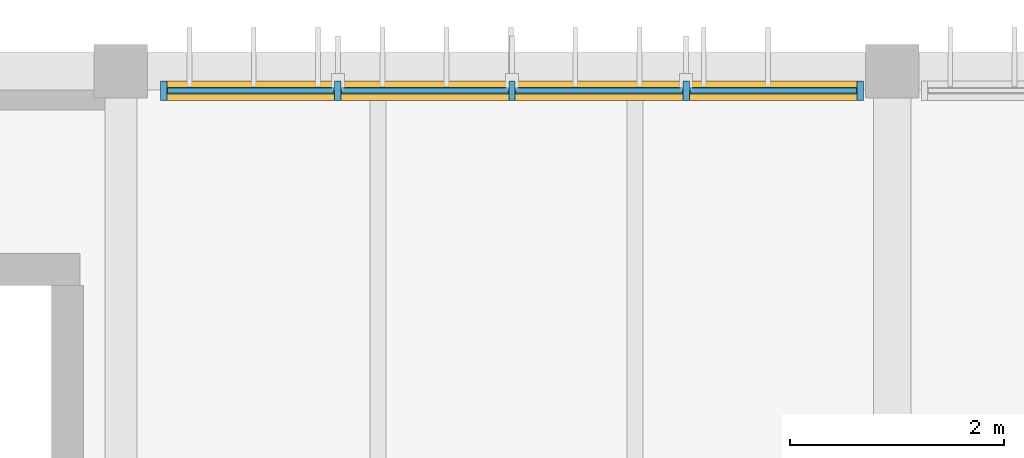
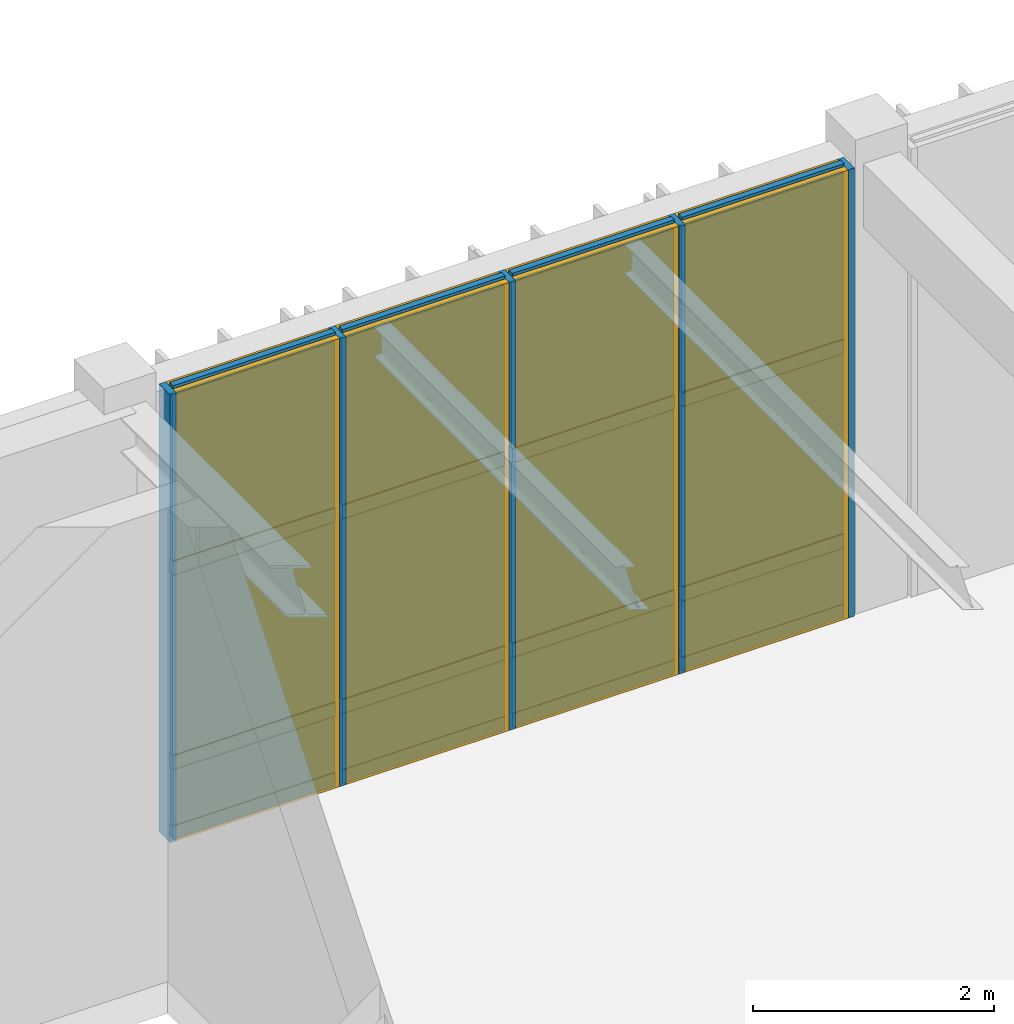
# One storey, part 96 of 122: 21 members, 12 plates, 1 curtain wall.
"""IFC4 building model written with IfcOpenShell, lengths in metres."""

from ifc_helpers import new_model, si_unit, direction, frame, frame_2d, origin, origin_2d, place, context, subcontext, project, spatial, rectangle, extrude, material, layer, layer_set, material_profile, profile_set, type_object, element, aggregate, save


model = new_model("IFC4")

# Units and contexts
model_context = context("Model", 3, precision=1e-05, world=origin(), true_north=direction((0.0, 1.0)))
body_context = subcontext(model_context, "Body", "Model", "MODEL_VIEW")
ifc_project = project(units=[si_unit("LENGTHUNIT", "METRE"), si_unit("AREAUNIT", "SQUARE_METRE"), si_unit("VOLUMEUNIT", "CUBIC_METRE"), si_unit("PLANEANGLEUNIT", "RADIAN"), si_unit("MASSUNIT", "GRAM", prefix="KILO")], contexts=[model_context])

# Member
ifc_material_1 = material(Name="Anodised Bronze Aluminium 6063-T6", Category="aluminium")
ifc_material_profile_1 = material_profile(ifc_material_1, rectangle(XDim=0.06005859375, YDim=0.179931640625, at=origin_2d()), Name="ALU MULLION 60x180")
ifc_profile_set_1 = profile_set([ifc_material_profile_1], Name="Anodised Bronze Aluminium 6063-T6")
member_type_1 = type_object("IfcMemberType", Name="Curtain-Wall Primary Mullion 60x180", PredefinedType="MULLION", material=ifc_profile_set_1)
site_placement = place(None, origin())
building_placement = place(site_placement, origin())
storey_placement = place(building_placement, origin())
member_1_placement = place(storey_placement, frame((103.0, 111.6201171875, 0.0), z_axis=(0.0, 0.0, 1.0), x_axis=(1.0, 0.0, 0.0)))
member_1 = element("IfcMember", 1, at=member_1_placement, type_object=member_type_1, Name="Mullion CWM-01 CW-V3-N1-L00-B1-M01", PredefinedType="MULLION", context=body_context, shape_type="SweptSolid", body=[
    extrude(rectangle(XDim=0.06005859375, YDim=0.179931640625, at=origin_2d()), origin(), (0.0, 0.0, 1.0), 4.5400390625),
])

member_2_placement = place(storey_placement, frame((104.625, 111.6201171875, 0.0), z_axis=(0.0, 0.0, 1.0), x_axis=(1.0, 0.0, 0.0)))
member_2 = element("IfcMember", 2, at=member_2_placement, type_object=member_type_1, Name="Mullion CWM-01 CW-V3-N1-L00-B1-M02", PredefinedType="MULLION", context=body_context, shape_type="SweptSolid", body=[
    extrude(rectangle(XDim=0.06005859375, YDim=0.179931640625, at=origin_2d()), origin(), (0.0, 0.0, 1.0), 4.5400390625),
])

member_3_placement = place(storey_placement, frame((106.25, 111.6201171875, 0.0), z_axis=(0.0, 0.0, 1.0), x_axis=(1.0, 0.0, 0.0)))
member_3 = element("IfcMember", 3, at=member_3_placement, type_object=member_type_1, Name="Mullion CWM-01 CW-V3-N1-L00-B1-M03", PredefinedType="MULLION", context=body_context, shape_type="SweptSolid", body=[
    extrude(rectangle(XDim=0.06005859375, YDim=0.179931640625, at=origin_2d()), origin(), (0.0, 0.0, 1.0), 4.5400390625),
])

member_4_placement = place(storey_placement, frame((107.875, 111.6201171875, 0.0), z_axis=(0.0, 0.0, 1.0), x_axis=(1.0, 0.0, 0.0)))
member_4 = element("IfcMember", 4, at=member_4_placement, type_object=member_type_1, Name="Mullion CWM-01 CW-V3-N1-L00-B1-M04", PredefinedType="MULLION", context=body_context, shape_type="SweptSolid", body=[
    extrude(rectangle(XDim=0.06005859375, YDim=0.179931640625, at=origin_2d()), origin(), (0.0, 0.0, 1.0), 4.5400390625),
])

member_5_placement = place(storey_placement, frame((109.5, 111.6201171875, 0.0), z_axis=(0.0, 0.0, 1.0), x_axis=(1.0, 0.0, 0.0)))
member_5 = element("IfcMember", 5, at=member_5_placement, type_object=member_type_1, Name="Mullion CWM-01 CW-V3-N1-L00-B1-M05", PredefinedType="MULLION", context=body_context, shape_type="SweptSolid", body=[
    extrude(rectangle(XDim=0.06005859375, YDim=0.179931640625, at=origin_2d()), origin(), (0.0, 0.0, 1.0), 4.5400390625),
])

ifc_material_profile_2 = material_profile(ifc_material_1, rectangle(XDim=0.06005859375, YDim=0.139892578125, at=origin_2d()), Name="ALU TRANSOM 60x140")
ifc_profile_set_2 = profile_set([ifc_material_profile_2], Name="Anodised Bronze Aluminium 6063-T6")
member_type_2 = type_object("IfcMemberType", Name="Curtain-Wall Transom 60x140", PredefinedType="USERDEFINED", material=ifc_profile_set_2)
member_6_placement = place(storey_placement, frame((103.034912109375, 111.6201171875, 0.0400390625), z_axis=(1.0, 0.0, 0.0), x_axis=(0.0, 1.0, 0.0)))
member_6 = element("IfcMember", 6, at=member_6_placement, type_object=member_type_2, Name="Transom CWT-01 CW-V3-N1-L00-B1-T01.1", ObjectType="TRANSOM", PredefinedType="USERDEFINED", context=body_context, shape_type="SweptSolid", body=[
    extrude(rectangle(XDim=0.06005859375, YDim=0.139892578125, at=origin_2d()), origin(), (0.0, 0.0, 1.0), 1.55517578125),
])

member_7_placement = place(storey_placement, frame((103.034912109375, 111.6201171875, 0.75), z_axis=(1.0, 0.0, 0.0), x_axis=(0.0, 1.0, 0.0)))
member_7 = element("IfcMember", 7, at=member_7_placement, type_object=member_type_2, Name="Transom CWT-01 CW-V3-N1-L00-B1-T01.2", ObjectType="TRANSOM", PredefinedType="USERDEFINED", context=body_context, shape_type="SweptSolid", body=[
    extrude(rectangle(XDim=0.06005859375, YDim=0.139892578125, at=origin_2d()), origin(), (0.0, 0.0, 1.0), 1.55517578125),
])

member_8_placement = place(storey_placement, frame((103.034912109375, 111.6201171875, 2.720703125), z_axis=(1.0, 0.0, 0.0), x_axis=(0.0, 1.0, 0.0)))
member_8 = element("IfcMember", 8, at=member_8_placement, type_object=member_type_2, Name="Transom CWT-01 CW-V3-N1-L00-B1-T01.3", ObjectType="TRANSOM", PredefinedType="USERDEFINED", context=body_context, shape_type="SweptSolid", body=[
    extrude(rectangle(XDim=0.06005859375, YDim=0.139892578125, at=origin_2d()), origin(), (0.0, 0.0, 1.0), 1.55517578125),
])

member_9_placement = place(storey_placement, frame((103.034912109375, 111.6201171875, 4.5), z_axis=(1.0, 0.0, 0.0), x_axis=(0.0, 1.0, 0.0)))
member_9 = element("IfcMember", 9, at=member_9_placement, type_object=member_type_2, Name="Transom CWT-01 CW-V3-N1-L00-B1-T01.4", ObjectType="TRANSOM", PredefinedType="USERDEFINED", context=body_context, shape_type="SweptSolid", body=[
    extrude(rectangle(XDim=0.06005859375, YDim=0.139892578125, at=origin_2d()), origin(), (0.0, 0.0, 1.0), 1.55517578125),
])

member_10_placement = place(storey_placement, frame((104.659912109375, 111.6201171875, 0.0400390625), z_axis=(1.0, 0.0, 0.0), x_axis=(0.0, 1.0, 0.0)))
member_10 = element("IfcMember", 10, at=member_10_placement, type_object=member_type_2, Name="Transom CWT-01 CW-V3-N1-L00-B1-T02.1", ObjectType="TRANSOM", PredefinedType="USERDEFINED", context=body_context, shape_type="SweptSolid", body=[
    extrude(rectangle(XDim=0.06005859375, YDim=0.139892578125, at=origin_2d()), origin(), (0.0, 0.0, 1.0), 1.55517578125),
])

member_11_placement = place(storey_placement, frame((104.659912109375, 111.6201171875, 0.75), z_axis=(1.0, 0.0, 0.0), x_axis=(0.0, 1.0, 0.0)))
member_11 = element("IfcMember", 11, at=member_11_placement, type_object=member_type_2, Name="Transom CWT-01 CW-V3-N1-L00-B1-T02.2", ObjectType="TRANSOM", PredefinedType="USERDEFINED", context=body_context, shape_type="SweptSolid", body=[
    extrude(rectangle(XDim=0.06005859375, YDim=0.139892578125, at=origin_2d()), origin(), (0.0, 0.0, 1.0), 1.55517578125),
])

member_12_placement = place(storey_placement, frame((104.659912109375, 111.6201171875, 2.720703125), z_axis=(1.0, 0.0, 0.0), x_axis=(0.0, 1.0, 0.0)))
member_12 = element("IfcMember", 12, at=member_12_placement, type_object=member_type_2, Name="Transom CWT-01 CW-V3-N1-L00-B1-T02.3", ObjectType="TRANSOM", PredefinedType="USERDEFINED", context=body_context, shape_type="SweptSolid", body=[
    extrude(rectangle(XDim=0.06005859375, YDim=0.139892578125, at=origin_2d()), origin(), (0.0, 0.0, 1.0), 1.55517578125),
])

member_13_placement = place(storey_placement, frame((104.659912109375, 111.6201171875, 4.5), z_axis=(1.0, 0.0, 0.0), x_axis=(0.0, 1.0, 0.0)))
member_13 = element("IfcMember", 13, at=member_13_placement, type_object=member_type_2, Name="Transom CWT-01 CW-V3-N1-L00-B1-T02.4", ObjectType="TRANSOM", PredefinedType="USERDEFINED", context=body_context, shape_type="SweptSolid", body=[
    extrude(rectangle(XDim=0.06005859375, YDim=0.139892578125, at=origin_2d()), origin(), (0.0, 0.0, 1.0), 1.55517578125),
])

member_14_placement = place(storey_placement, frame((106.284912109375, 111.6201171875, 0.0400390625), z_axis=(1.0, 0.0, 0.0), x_axis=(0.0, 1.0, 0.0)))
member_14 = element("IfcMember", 14, at=member_14_placement, type_object=member_type_2, Name="Transom CWT-01 CW-V3-N1-L00-B1-T03.1", ObjectType="TRANSOM", PredefinedType="USERDEFINED", context=body_context, shape_type="SweptSolid", body=[
    extrude(rectangle(XDim=0.06005859375, YDim=0.139892578125, at=origin_2d()), origin(), (0.0, 0.0, 1.0), 1.55517578125),
])

member_15_placement = place(storey_placement, frame((106.284912109375, 111.6201171875, 0.75), z_axis=(1.0, 0.0, 0.0), x_axis=(0.0, 1.0, 0.0)))
member_15 = element("IfcMember", 15, at=member_15_placement, type_object=member_type_2, Name="Transom CWT-01 CW-V3-N1-L00-B1-T03.2", ObjectType="TRANSOM", PredefinedType="USERDEFINED", context=body_context, shape_type="SweptSolid", body=[
    extrude(rectangle(XDim=0.06005859375, YDim=0.139892578125, at=origin_2d()), origin(), (0.0, 0.0, 1.0), 1.55517578125),
])

member_16_placement = place(storey_placement, frame((106.284912109375, 111.6201171875, 2.720703125), z_axis=(1.0, 0.0, 0.0), x_axis=(0.0, 1.0, 0.0)))
member_16 = element("IfcMember", 16, at=member_16_placement, type_object=member_type_2, Name="Transom CWT-01 CW-V3-N1-L00-B1-T03.3", ObjectType="TRANSOM", PredefinedType="USERDEFINED", context=body_context, shape_type="SweptSolid", body=[
    extrude(rectangle(XDim=0.06005859375, YDim=0.139892578125, at=origin_2d()), origin(), (0.0, 0.0, 1.0), 1.55517578125),
])

member_17_placement = place(storey_placement, frame((106.284912109375, 111.6201171875, 4.5), z_axis=(1.0, 0.0, 0.0), x_axis=(0.0, 1.0, 0.0)))
member_17 = element("IfcMember", 17, at=member_17_placement, type_object=member_type_2, Name="Transom CWT-01 CW-V3-N1-L00-B1-T03.4", ObjectType="TRANSOM", PredefinedType="USERDEFINED", context=body_context, shape_type="SweptSolid", body=[
    extrude(rectangle(XDim=0.06005859375, YDim=0.139892578125, at=origin_2d()), origin(), (0.0, 0.0, 1.0), 1.55517578125),
])

member_18_placement = place(storey_placement, frame((107.909912109375, 111.6201171875, 0.0400390625), z_axis=(1.0, 0.0, 0.0), x_axis=(0.0, 1.0, 0.0)))
member_18 = element("IfcMember", 18, at=member_18_placement, type_object=member_type_2, Name="Transom CWT-01 CW-V3-N1-L00-B1-T04.1", ObjectType="TRANSOM", PredefinedType="USERDEFINED", context=body_context, shape_type="SweptSolid", body=[
    extrude(rectangle(XDim=0.06005859375, YDim=0.139892578125, at=origin_2d()), origin(), (0.0, 0.0, 1.0), 1.55517578125),
])

member_19_placement = place(storey_placement, frame((107.909912109375, 111.6201171875, 0.75), z_axis=(1.0, 0.0, 0.0), x_axis=(0.0, 1.0, 0.0)))
member_19 = element("IfcMember", 19, at=member_19_placement, type_object=member_type_2, Name="Transom CWT-01 CW-V3-N1-L00-B1-T04.2", ObjectType="TRANSOM", PredefinedType="USERDEFINED", context=body_context, shape_type="SweptSolid", body=[
    extrude(rectangle(XDim=0.06005859375, YDim=0.139892578125, at=origin_2d()), origin(), (0.0, 0.0, 1.0), 1.55517578125),
])

member_20_placement = place(storey_placement, frame((107.909912109375, 111.6201171875, 2.720703125), z_axis=(1.0, 0.0, 0.0), x_axis=(0.0, 1.0, 0.0)))
member_20 = element("IfcMember", 20, at=member_20_placement, type_object=member_type_2, Name="Transom CWT-01 CW-V3-N1-L00-B1-T04.3", ObjectType="TRANSOM", PredefinedType="USERDEFINED", context=body_context, shape_type="SweptSolid", body=[
    extrude(rectangle(XDim=0.06005859375, YDim=0.139892578125, at=origin_2d()), origin(), (0.0, 0.0, 1.0), 1.55517578125),
])

member_21_placement = place(storey_placement, frame((107.909912109375, 111.6201171875, 4.5), z_axis=(1.0, 0.0, 0.0), x_axis=(0.0, 1.0, 0.0)))
member_21 = element("IfcMember", 21, at=member_21_placement, type_object=member_type_2, Name="Transom CWT-01 CW-V3-N1-L00-B1-T04.4", ObjectType="TRANSOM", PredefinedType="USERDEFINED", context=body_context, shape_type="SweptSolid", body=[
    extrude(rectangle(XDim=0.06005859375, YDim=0.139892578125, at=origin_2d()), origin(), (0.0, 0.0, 1.0), 1.55517578125),
])

# Plate
ifc_material_2 = material(Name="Insulated Bronze Aluminium Spandrel Panel", Category="aluminium")
ifc_layer_1 = layer(ifc_material_2, 0.050048828125, Name="Insulated Bronze Aluminium Spandrel Panel")
ifc_layer_set_1 = layer_set([ifc_layer_1], Name="Insulated Bronze Aluminium Spandrel Panel")
plate_type_1 = type_object("IfcPlateType", Name="Insulated Anodised Aluminium Spandrel Cassette 50", PredefinedType="CURTAIN_PANEL", material=ifc_layer_set_1)
plate_1_placement = place(storey_placement, frame((103.8125, 111.6201171875, 0.070068359375), z_axis=(0.0, 0.0, 1.0), x_axis=(1.0, 0.0, 0.0)))
plate_1 = element("IfcPlate", 22, at=plate_1_placement, type_object=plate_type_1, Name="Curtain Panel CWP-03 CW-V3-N1-L00-B1-P01.1", PredefinedType="CURTAIN_PANEL", context=body_context, shape_type="SweptSolid", body=[
    extrude(rectangle(XDim=1.554931640625, YDim=0.050048828125, at=origin_2d()), origin(), (0.0, 0.0, 1.0), 0.64990234375),
])

plate_2_placement = place(storey_placement, frame((105.4375, 111.6201171875, 0.070068359375), z_axis=(0.0, 0.0, 1.0), x_axis=(1.0, 0.0, 0.0)))
plate_2 = element("IfcPlate", 23, at=plate_2_placement, type_object=plate_type_1, Name="Curtain Panel CWP-03 CW-V3-N1-L00-B1-P02.1", PredefinedType="CURTAIN_PANEL", context=body_context, shape_type="SweptSolid", body=[
    extrude(rectangle(XDim=1.554931640625, YDim=0.050048828125, at=origin_2d()), origin(), (0.0, 0.0, 1.0), 0.64990234375),
])

plate_3_placement = place(storey_placement, frame((107.0625, 111.6201171875, 0.070068359375), z_axis=(0.0, 0.0, 1.0), x_axis=(1.0, 0.0, 0.0)))
plate_3 = element("IfcPlate", 24, at=plate_3_placement, type_object=plate_type_1, Name="Curtain Panel CWP-03 CW-V3-N1-L00-B1-P03.1", PredefinedType="CURTAIN_PANEL", context=body_context, shape_type="SweptSolid", body=[
    extrude(rectangle(XDim=1.554931640625, YDim=0.050048828125, at=origin_2d()), origin(), (0.0, 0.0, 1.0), 0.64990234375),
])

plate_4_placement = place(storey_placement, frame((108.6875, 111.6201171875, 0.070068359375), z_axis=(0.0, 0.0, 1.0), x_axis=(1.0, 0.0, 0.0)))
plate_4 = element("IfcPlate", 25, at=plate_4_placement, type_object=plate_type_1, Name="Curtain Panel CWP-03 CW-V3-N1-L00-B1-P04.1", PredefinedType="CURTAIN_PANEL", context=body_context, shape_type="SweptSolid", body=[
    extrude(rectangle(XDim=1.554931640625, YDim=0.050048828125, at=origin_2d()), origin(), (0.0, 0.0, 1.0), 0.64990234375),
])

ifc_material_3 = material(Name="Solar-Control Tempered Double Glazing", Category="glass")
ifc_layer_2 = layer(ifc_material_3, 0.0380859375, Name="Solar-Control Tempered Double Glazing")
ifc_layer_set_2 = layer_set([ifc_layer_2], Name="Solar-Control Tempered Double Glazing")
plate_type_2 = type_object("IfcPlateType", Name="Solar-Control Vision Glazing Unit 38", PredefinedType="CURTAIN_PANEL", material=ifc_layer_set_2)
plate_5_placement = place(storey_placement, frame((103.8125, 111.6201171875, 0.77978515625), z_axis=(0.0, 0.0, 1.0), x_axis=(1.0, 0.0, 0.0)))
plate_5 = element("IfcPlate", 26, at=plate_5_placement, type_object=plate_type_2, Name="Curtain Panel CWP-02 CW-V3-N1-L00-B1-P01.2", PredefinedType="CURTAIN_PANEL", context=body_context, shape_type="SweptSolid", body=[
    extrude(rectangle(XDim=1.554931640625, YDim=0.0380859375, at=origin_2d()), origin(), (0.0, 0.0, 1.0), 1.910888671875),
])

plate_6_placement = place(storey_placement, frame((103.8125, 111.6201171875, 2.750732421875), z_axis=(0.0, 0.0, 1.0), x_axis=(1.0, 0.0, 0.0)))
plate_6 = element("IfcPlate", 27, at=plate_6_placement, type_object=plate_type_2, Name="Curtain Panel CWP-02 CW-V3-N1-L00-B1-P01.3", PredefinedType="CURTAIN_PANEL", context=body_context, shape_type="SweptSolid", body=[
    extrude(rectangle(XDim=1.554931640625, YDim=0.0380859375, at=origin_2d()), origin(), (0.0, 0.0, 1.0), 1.71923828125),
])

plate_7_placement = place(storey_placement, frame((105.4375, 111.6201171875, 0.77978515625), z_axis=(0.0, 0.0, 1.0), x_axis=(1.0, 0.0, 0.0)))
plate_7 = element("IfcPlate", 28, at=plate_7_placement, type_object=plate_type_2, Name="Curtain Panel CWP-02 CW-V3-N1-L00-B1-P02.2", PredefinedType="CURTAIN_PANEL", context=body_context, shape_type="SweptSolid", body=[
    extrude(rectangle(XDim=1.554931640625, YDim=0.0380859375, at=origin_2d()), origin(), (0.0, 0.0, 1.0), 1.910888671875),
])

plate_8_placement = place(storey_placement, frame((105.4375, 111.6201171875, 2.750732421875), z_axis=(0.0, 0.0, 1.0), x_axis=(1.0, 0.0, 0.0)))
plate_8 = element("IfcPlate", 29, at=plate_8_placement, type_object=plate_type_2, Name="Curtain Panel CWP-02 CW-V3-N1-L00-B1-P02.3", PredefinedType="CURTAIN_PANEL", context=body_context, shape_type="SweptSolid", body=[
    extrude(rectangle(XDim=1.554931640625, YDim=0.0380859375, at=origin_2d()), origin(), (0.0, 0.0, 1.0), 1.71923828125),
])

plate_9_placement = place(storey_placement, frame((107.0625, 111.6201171875, 0.77978515625), z_axis=(0.0, 0.0, 1.0), x_axis=(1.0, 0.0, 0.0)))
plate_9 = element("IfcPlate", 30, at=plate_9_placement, type_object=plate_type_2, Name="Curtain Panel CWP-02 CW-V3-N1-L00-B1-P03.2", PredefinedType="CURTAIN_PANEL", context=body_context, shape_type="SweptSolid", body=[
    extrude(rectangle(XDim=1.554931640625, YDim=0.0380859375, at=origin_2d()), origin(), (0.0, 0.0, 1.0), 1.910888671875),
])

plate_10_placement = place(storey_placement, frame((107.0625, 111.6201171875, 2.750732421875), z_axis=(0.0, 0.0, 1.0), x_axis=(1.0, 0.0, 0.0)))
plate_10 = element("IfcPlate", 31, at=plate_10_placement, type_object=plate_type_2, Name="Curtain Panel CWP-02 CW-V3-N1-L00-B1-P03.3", PredefinedType="CURTAIN_PANEL", context=body_context, shape_type="SweptSolid", body=[
    extrude(rectangle(XDim=1.554931640625, YDim=0.0380859375, at=origin_2d()), origin(), (0.0, 0.0, 1.0), 1.71923828125),
])

plate_11_placement = place(storey_placement, frame((108.6875, 111.6201171875, 0.77978515625), z_axis=(0.0, 0.0, 1.0), x_axis=(1.0, 0.0, 0.0)))
plate_11 = element("IfcPlate", 32, at=plate_11_placement, type_object=plate_type_2, Name="Curtain Panel CWP-02 CW-V3-N1-L00-B1-P04.2", PredefinedType="CURTAIN_PANEL", context=body_context, shape_type="SweptSolid", body=[
    extrude(rectangle(XDim=1.554931640625, YDim=0.0380859375, at=origin_2d()), origin(), (0.0, 0.0, 1.0), 1.910888671875),
])

plate_12_placement = place(storey_placement, frame((108.6875, 111.6201171875, 2.750732421875), z_axis=(0.0, 0.0, 1.0), x_axis=(1.0, 0.0, 0.0)))
plate_12 = element("IfcPlate", 33, at=plate_12_placement, type_object=plate_type_2, Name="Curtain Panel CWP-02 CW-V3-N1-L00-B1-P04.3", PredefinedType="CURTAIN_PANEL", context=body_context, shape_type="SweptSolid", body=[
    extrude(rectangle(XDim=1.554931640625, YDim=0.0380859375, at=origin_2d()), origin(), (0.0, 0.0, 1.0), 1.71923828125),
])

# Site, building, storey
site = spatial("IfcSite", under=ifc_project, at=site_placement, CompositionType="ELEMENT")
building = spatial("IfcBuilding", under=site, at=building_placement, Name="Tazoul Stagehouse", CompositionType="ELEMENT")
storey = spatial("IfcBuildingStorey", under=building, at=storey_placement, Name="L00", CompositionType="ELEMENT", Elevation=0.0)

# Curtain wall
curtain_wall_type = type_object("IfcCurtainWallType", Name="Rehearsal North Daylight Curtain Wall", PredefinedType="NOTDEFINED", material=ifc_material_1)
curtain_wall_placement = place(storey_placement, frame((103.0, 111.6201171875, 0.0), z_axis=(0.0, 0.0, 1.0), x_axis=(1.0, 0.0, 0.0)))
curtain_wall = element("IfcCurtainWall", 34, at=curtain_wall_placement, inside=storey, type_object=curtain_wall_type, Name="L00 Curtain Wall CW-04 (CW-V3-N1-L00-B1)", PredefinedType="NOTDEFINED", context=body_context, shape_type="SweptSolid", body=[
    extrude(rectangle(XDim=6.5, YDim=0.179931640625, at=frame_2d((3.25, 0.0))), origin(), (0.0, 0.0, 1.0), 4.5400390625),
])

aggregate(curtain_wall, [member_1, member_2, member_3, member_4, member_5, member_6, member_7, member_8, member_9, plate_1, plate_5, plate_6, member_10, member_11, member_12, member_13, plate_2, plate_7, plate_8, member_14, member_15, member_16, member_17, plate_3, plate_9, plate_10, member_18, member_19, member_20, member_21, plate_4, plate_11, plate_12])

save(model, "model.ifc")
